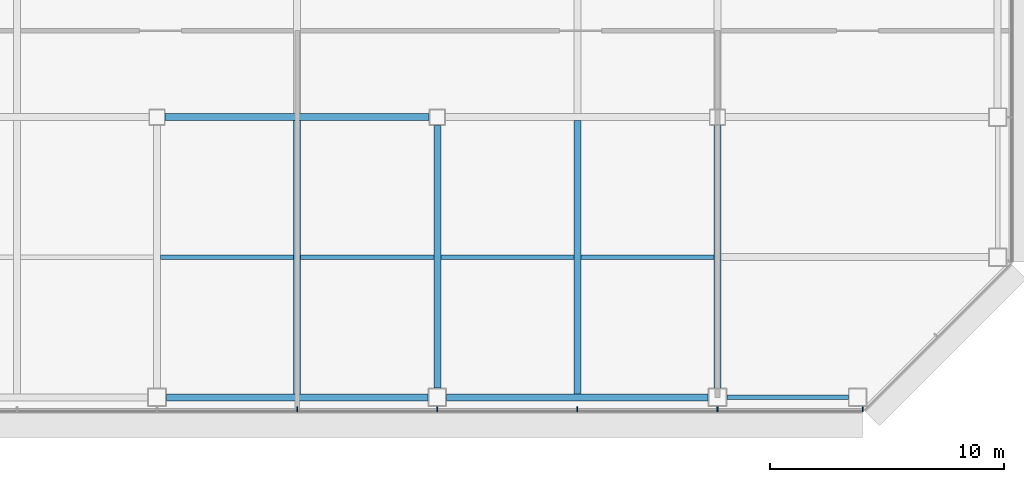
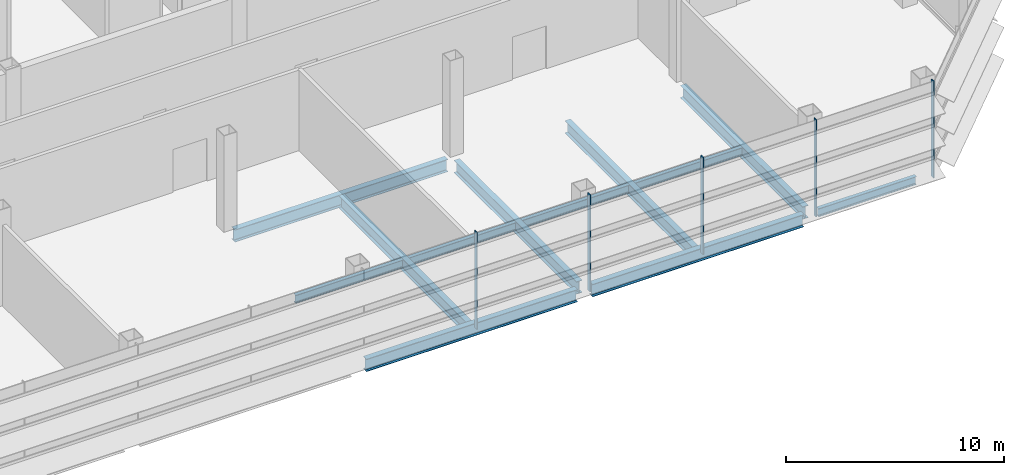
# One storey, part 7 of 23: 12 beams, 5 members, 1 element without a shape of its own.
"""IFC4 building model written with IfcOpenShell, lengths in metres."""

from ifc_helpers import new_model, si_unit, direction, frame, origin, origin_2d, place, context, subcontext, project, spatial, rectangle, i_section, extrude, material, material_profile, profile_set, type_object, element, aggregate, save


model = new_model("IFC4")

# Units and contexts
model_context = context("Model", 3, precision=1e-05, world=origin(), true_north=direction((0.0, 1.0)))
body_context = subcontext(model_context, "Body", "Model", "MODEL_VIEW")
ifc_project = project(units=[si_unit("LENGTHUNIT", "METRE"), si_unit("AREAUNIT", "SQUARE_METRE"), si_unit("VOLUMEUNIT", "CUBIC_METRE"), si_unit("PLANEANGLEUNIT", "RADIAN"), si_unit("MASSUNIT", "GRAM", prefix="KILO")], contexts=[model_context])

# Site, building, storey
site_placement = place(None, origin())
site = spatial("IfcSite", under=ifc_project, at=site_placement, CompositionType="ELEMENT")
building_placement = place(site_placement, origin())
building = spatial("IfcBuilding", under=site, at=building_placement, Name="Sorahane Residences", CompositionType="ELEMENT")
storey_placement = place(building_placement, frame((0.0, 0.0, 114.199951171875)))
storey = spatial("IfcBuildingStorey", under=building, at=storey_placement, Name="L25", CompositionType="ELEMENT", Elevation=114.199951171875)

# Curtain wall, members
ifc_material_1 = material(Name="Dark low-e glass and black anodised aluminium", Category="aluminium")
curtain_wall_type = type_object("IfcCurtainWallType", Name="Curtain wall CW-4 Sky floor frameless wall", PredefinedType="NOTDEFINED", material=ifc_material_1)
curtain_wall_placement = place(storey_placement, origin())
curtain_wall = element("IfcCurtainWall", 1, at=curtain_wall_placement, inside=storey, type_object=curtain_wall_type, Name="CW-4 curtain wall L25 S1", PredefinedType="NOTDEFINED")
ifc_material_2 = material(Name="Black anodised aluminium", Category="aluminium")
ifc_material_profile_1 = material_profile(ifc_material_2, rectangle(XDim=0.219970703125, YDim=0.050048828125, at=origin_2d()), Name="Curtain wall mullion CW-4 black anodised aluminium 50x220")
ifc_profile_set_1 = profile_set([ifc_material_profile_1], Name="Black anodised aluminium")
member_type = type_object("IfcMemberType", Name="Curtain wall mullion CW-4 black anodised aluminium 50x220", PredefinedType="MULLION", material=ifc_profile_set_1)
member_1_placement = place(storey_placement, frame((30.0, -0.510009765625, -0.219970703125), z_axis=(0.0, 0.0, 1.0), x_axis=(0.0, -1.0, 0.0)))
member_1 = element("IfcMember", 2, at=member_1_placement, type_object=member_type, Name="CW-4 mullion L25 S1.6", PredefinedType="MULLION", context=body_context, shape_type="SweptSolid", body=[
    extrude(rectangle(XDim=0.219970703125, YDim=0.050048828125, at=origin_2d()), origin(), (0.0, 0.0, 1.0), 5.43994140625),
])
member_2_placement = place(storey_placement, frame((36.0, -0.510009765625, -0.219970703125), z_axis=(0.0, 0.0, 1.0), x_axis=(0.0, -1.0, 0.0)))
member_2 = element("IfcMember", 3, at=member_2_placement, type_object=member_type, Name="CW-4 mullion L25 S1.7", PredefinedType="MULLION", context=body_context, shape_type="SweptSolid", body=[
    extrude(rectangle(XDim=0.219970703125, YDim=0.050048828125, at=origin_2d()), origin(), (0.0, 0.0, 1.0), 5.43994140625),
])
member_3_placement = place(storey_placement, frame((42.0, -0.510009765625, -0.219970703125), z_axis=(0.0, 0.0, 1.0), x_axis=(0.0, -1.0, 0.0)))
member_3 = element("IfcMember", 4, at=member_3_placement, type_object=member_type, Name="CW-4 mullion L25 S1.8", PredefinedType="MULLION", context=body_context, shape_type="SweptSolid", body=[
    extrude(rectangle(XDim=0.219970703125, YDim=0.050048828125, at=origin_2d()), origin(), (0.0, 0.0, 1.0), 5.43994140625),
])
member_4_placement = place(storey_placement, frame((48.0, -0.510009765625, -0.219970703125), z_axis=(0.0, 0.0, 1.0), x_axis=(0.0, -1.0, 0.0)))
member_4 = element("IfcMember", 5, at=member_4_placement, type_object=member_type, Name="CW-4 mullion L25 S1.9", PredefinedType="MULLION", context=body_context, shape_type="SweptSolid", body=[
    extrude(rectangle(XDim=0.219970703125, YDim=0.050048828125, at=origin_2d()), origin(), (0.0, 0.0, 1.0), 5.43994140625),
])
member_5_placement = place(storey_placement, frame((54.2236328125, -0.510009765625, -0.219970703125), z_axis=(0.0, 0.0, 1.0), x_axis=(0.0, -1.0, 0.0)))
member_5 = element("IfcMember", 6, at=member_5_placement, type_object=member_type, Name="CW-4 mullion L25 S1.10", PredefinedType="MULLION", context=body_context, shape_type="SweptSolid", body=[
    extrude(rectangle(XDim=0.219970703125, YDim=0.050048828125, at=origin_2d()), origin(), (0.0, 0.0, 1.0), 5.43994140625),
])
aggregate(curtain_wall, [member_1, member_2, member_3, member_4, member_5])

# Beams
ifc_material_3 = material(Name="Steel Q355B", Category="steel")
ifc_material_profile_2 = material_profile(ifc_material_3, i_section(OverallWidth=0.199951171875, OverallDepth=0.449951171875, WebThickness=0.009033203125, FlangeThickness=0.013916015625, FilletRadius=0.02001953125, at=origin_2d()), Name="HN 450x200x9x14")
ifc_profile_set_2 = profile_set([ifc_material_profile_2], Name="Steel Q355B")
beam_type_1 = type_object("IfcBeamType", Name="Steel floor beam HN 450x200x9x14 Q355B", PredefinedType="BEAM", material=ifc_profile_set_2)
beam_1_placement = place(storey_placement, frame((48.39990234375, 0.0, -0.445068359375), z_axis=(1.0, 0.0, 0.0), x_axis=(0.0, 1.0, 0.0)))
element("IfcBeam", 7, at=beam_1_placement, inside=storey, type_object=beam_type_1, Name="Beam L25 004", PredefinedType="BEAM", context=body_context, shape_type="SweptSolid", body=[
    extrude(i_section(OverallWidth=0.199951171875, OverallDepth=0.449951171875, WebThickness=0.009033203125, FlangeThickness=0.013916015625, FilletRadius=0.02001953125, at=origin_2d()), origin(), (0.0, 0.0, 1.0), 5.2001953125),
])
for number, where, z_axis, x_axis, name in (
    (8, (24.14990234375, 6.0, -0.445068359375), (1.0, 0.0, 0.0), (0.0, 1.0, 0.0), "Beam L25 073"),
    (9, (30.14990234375, 6.0, -0.445068359375), (1.0, 0.0, 0.0), (0.0, 1.0, 0.0), "Beam L25 074"),
    (10, (36.14990234375, 6.0, -0.445068359375), (1.0, 0.0, 0.0), (0.0, 1.0, 0.0), "Beam L25 075"),
    (11, (42.14990234375, 6.0, -0.445068359375), (1.0, 0.0, 0.0), (0.0, 1.0, 0.0), "Beam L25 076"),
):
    element("IfcBeam", number, at=place(storey_placement, frame(where, z_axis=z_axis, x_axis=x_axis)), inside=storey, type_object=beam_type_1, Name=name, PredefinedType="BEAM", context=body_context, shape_type="SweptSolid", body=[
        extrude(i_section(OverallWidth=0.199951171875, OverallDepth=0.449951171875, WebThickness=0.009033203125, FlangeThickness=0.013916015625, FilletRadius=0.02001953125, at=origin_2d()), origin(), (0.0, 0.0, 1.0), 5.7001953125),
    ])
ifc_material_4 = material(Name="Steel Q355B", Category="steel")
ifc_material_profile_3 = material_profile(ifc_material_4, i_section(OverallWidth=0.300048828125, OverallDepth=0.699951171875, WebThickness=0.012939453125, FlangeThickness=0.02392578125, FilletRadius=0.028076171875, at=origin_2d()), Name="HN 700x300x13x24")
ifc_profile_set_3 = profile_set([ifc_material_profile_3], Name="Steel Q355B")
beam_type_2 = type_object("IfcBeamType", Name="Steel floor beam HN 700x300x13x24 Q355B", PredefinedType="BEAM", material=ifc_profile_set_3)
for number, where, z_axis, x_axis, name in (
    (12, (24.39990234375, 0.0, -0.570068359375), (1.0, 0.0, 0.0), (0.0, 1.0, 0.0), "Beam L25 002"),
    (13, (36.39990234375, 0.0, -0.570068359375), (1.0, 0.0, 0.0), (0.0, 1.0, 0.0), "Beam L25 003"),
):
    element("IfcBeam", number, at=place(storey_placement, frame(where, z_axis=z_axis, x_axis=x_axis)), inside=storey, type_object=beam_type_2, Name=name, PredefinedType="BEAM", context=body_context, shape_type="SweptSolid", body=[
        extrude(i_section(OverallWidth=0.300048828125, OverallDepth=0.699951171875, WebThickness=0.012939453125, FlangeThickness=0.02392578125, FilletRadius=0.028076171875, at=origin_2d()), origin(), (0.0, 0.0, 1.0), 11.2001953125),
    ])
beam_2_placement = place(storey_placement, frame((24.35009765625, 12.0, -0.570068359375), z_axis=(1.0, 0.0, 0.0), x_axis=(0.0, 1.0, 0.0)))
element("IfcBeam", 14, at=beam_2_placement, inside=storey, type_object=beam_type_2, Name="Beam L25 008", PredefinedType="BEAM", context=body_context, shape_type="SweptSolid", body=[
    extrude(i_section(OverallWidth=0.300048828125, OverallDepth=0.699951171875, WebThickness=0.012939453125, FlangeThickness=0.02392578125, FilletRadius=0.028076171875, at=origin_2d()), origin(), (0.0, 0.0, 1.0), 11.2998046875),
])
beam_3_placement = place(storey_placement, frame((30.0, 0.14990234375, -0.570068359375), z_axis=(0.0, 1.0, 0.0), x_axis=(-1.0, 0.0, 0.0)))
element("IfcBeam", 15, at=beam_3_placement, inside=storey, type_object=beam_type_2, Name="Beam L25 044", PredefinedType="BEAM", context=body_context, shape_type="SweptSolid", body=[
    extrude(i_section(OverallWidth=0.300048828125, OverallDepth=0.699951171875, WebThickness=0.012939453125, FlangeThickness=0.02392578125, FilletRadius=0.028076171875, at=origin_2d()), origin(), (0.0, 0.0, 1.0), 11.7001953125),
])
beam_4_placement = place(storey_placement, frame((36.0, 0.39990234375, -0.570068359375), z_axis=(0.0, 1.0, 0.0), x_axis=(-1.0, 0.0, 0.0)))
element("IfcBeam", 16, at=beam_4_placement, inside=storey, type_object=beam_type_2, Name="Beam L25 050", PredefinedType="BEAM", context=body_context, shape_type="SweptSolid", body=[
    extrude(i_section(OverallWidth=0.300048828125, OverallDepth=0.699951171875, WebThickness=0.012939453125, FlangeThickness=0.02392578125, FilletRadius=0.028076171875, at=origin_2d()), origin(), (0.0, 0.0, 1.0), 11.25),
])
beam_5_placement = place(storey_placement, frame((42.0, 0.14990234375, -0.570068359375), z_axis=(0.0, 1.0, 0.0), x_axis=(-1.0, 0.0, 0.0)))
element("IfcBeam", 17, at=beam_5_placement, inside=storey, type_object=beam_type_2, Name="Beam L25 052", PredefinedType="BEAM", context=body_context, shape_type="SweptSolid", body=[
    extrude(i_section(OverallWidth=0.300048828125, OverallDepth=0.699951171875, WebThickness=0.012939453125, FlangeThickness=0.02392578125, FilletRadius=0.028076171875, at=origin_2d()), origin(), (0.0, 0.0, 1.0), 11.7001953125),
])
beam_6_placement = place(storey_placement, frame((48.0, 0.39990234375, -0.570068359375), z_axis=(0.0, 1.0, 0.0), x_axis=(-1.0, 0.0, 0.0)))
element("IfcBeam", 18, at=beam_6_placement, inside=storey, type_object=beam_type_2, Name="Beam L25 058", PredefinedType="BEAM", context=body_context, shape_type="SweptSolid", body=[
    extrude(i_section(OverallWidth=0.300048828125, OverallDepth=0.699951171875, WebThickness=0.012939453125, FlangeThickness=0.02392578125, FilletRadius=0.028076171875, at=origin_2d()), origin(), (0.0, 0.0, 1.0), 11.25),
])

save(model, "model.ifc")
